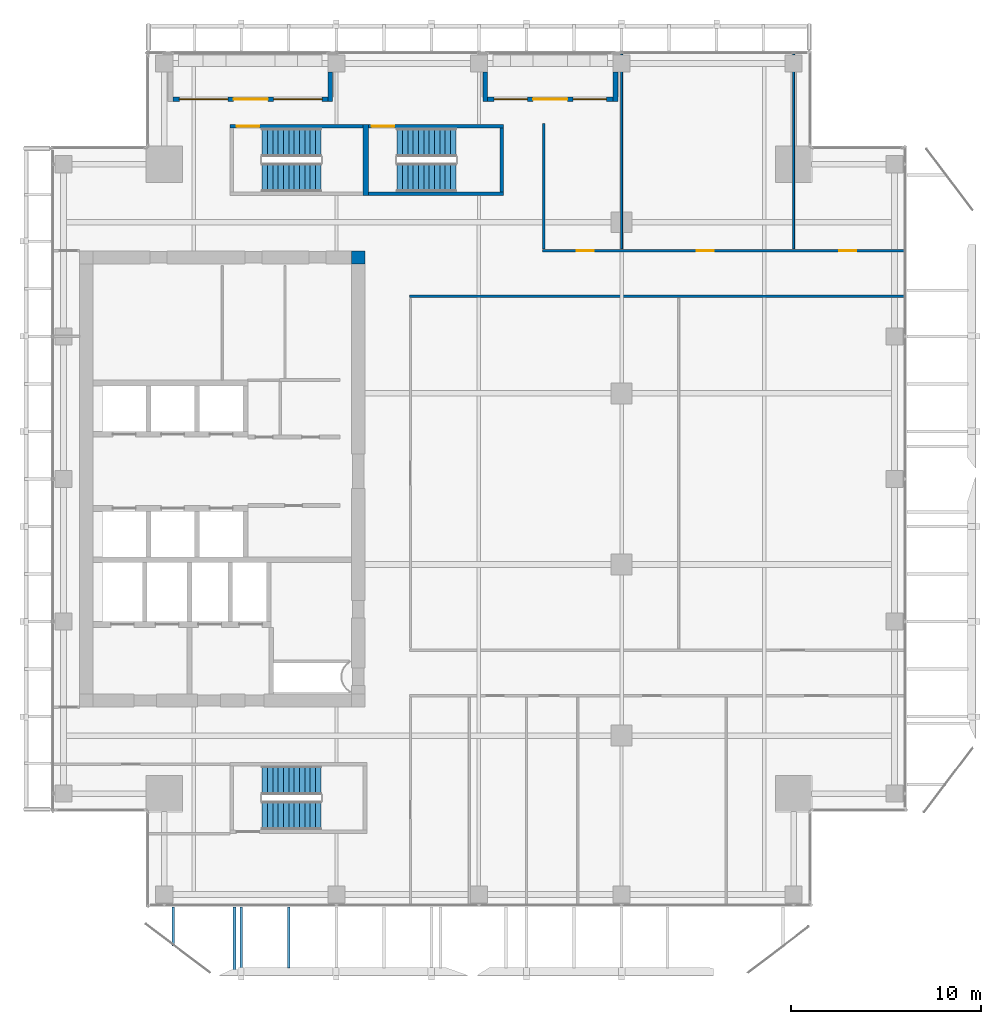
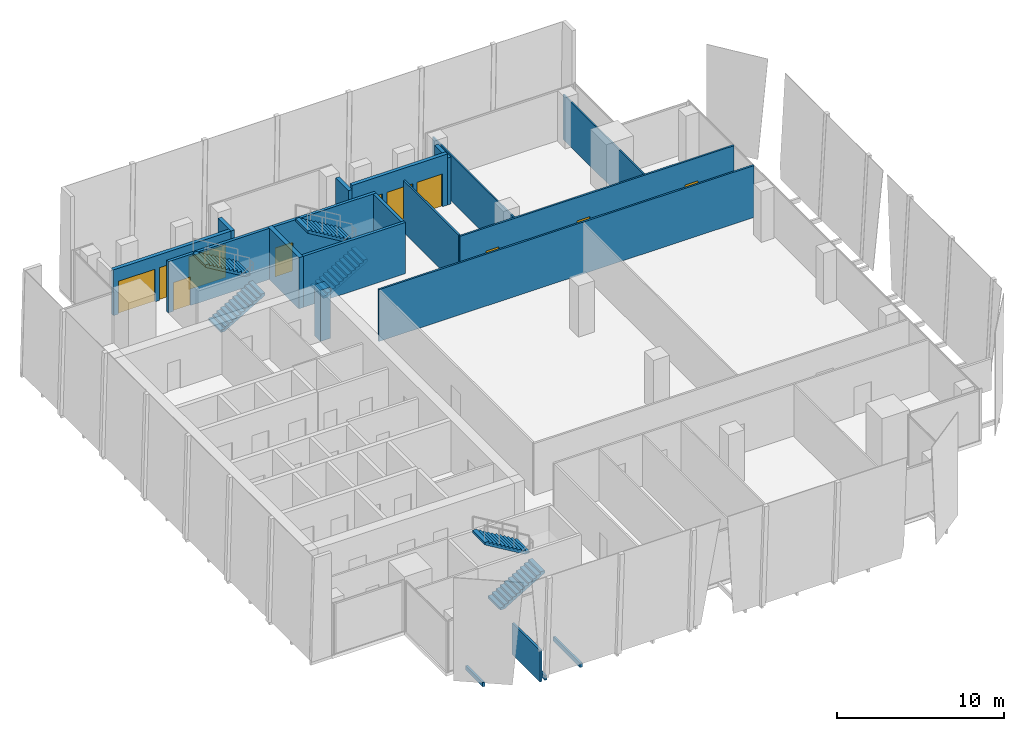
# One storey, part 30 of 35: 16 walls, 7 doors, 6 stair flights, 4 discrete accessories, 4 windows, 11 openings, 3 elements without a shape of their own.
"""IFC4 building model written with IfcOpenShell, lengths in metres."""

from ifc_helpers import new_model, si_unit, direction, frame, frame_2d, origin, origin_2d, place, context, subcontext, project, spatial, polyline, rectangle, outline, extrude, source, transform, mapped, material, layer, layer_set, type_object, element, fill, aggregate, save


model = new_model("IFC4")

# Units and contexts
model_context = context("Model", 3, precision=1e-05, world=origin(), true_north=direction((0.0, 1.0)))
body_context = subcontext(model_context, "Body", "Model", "MODEL_VIEW")
ifc_project = project(units=[si_unit("LENGTHUNIT", "METRE"), si_unit("AREAUNIT", "SQUARE_METRE"), si_unit("VOLUMEUNIT", "CUBIC_METRE"), si_unit("PLANEANGLEUNIT", "RADIAN"), si_unit("MASSUNIT", "GRAM", prefix="KILO")], contexts=[model_context])

# Site, building, storey
site_placement = place(None, origin())
site = spatial("IfcSite", under=ifc_project, at=site_placement, CompositionType="ELEMENT")
building_placement = place(site_placement, origin())
building = spatial("IfcBuilding", under=site, at=building_placement, Name="Khomas Fold Tower", CompositionType="ELEMENT")
storey_placement = place(building_placement, frame((0.0, 0.0, 266.199951171875)))
storey = spatial("IfcBuildingStorey", under=building, at=storey_placement, Name="L60", CompositionType="ELEMENT", Elevation=266.199951171875)

# Wall, opening, door
ifc_material_1 = material(Name="Concrete C50/60", Category="concrete")
ifc_layer_1 = layer(ifc_material_1, 0.199951171875)
ifc_layer_set_1 = layer_set([ifc_layer_1], Name="Concrete C50/60")
wall_type_1 = type_object("IfcWallType", Name="Stair wall 200", PredefinedType="SHEAR", material=ifc_layer_set_1)
shared_shape_1 = source(origin(), body_context, "Body", "SweptSolid", [
    extrude(rectangle(XDim=7.0, YDim=0.199951171875, at=frame_2d((3.5, 0.0))), origin(), (0.0, 0.0, 1.0), 3.75),
])
wall_1_placement = place(storey_placement, frame((13.89990234375, 45.550048828125, 0.0), z_axis=(0.0, 0.0, 1.0), x_axis=(1.0, 0.0, 0.0)))
wall_1 = element("IfcWall", 1, at=wall_1_placement, inside=storey, type_object=wall_type_1, Name="Stair wall SW-ST1-N", PredefinedType="SHEAR", context=body_context, shape_type="MappedRepresentation", body=[
    mapped(shared_shape_1, transform((0.0, 0.0, 0.0))),
])
shared_shape_2 = source(origin(), body_context, "Body", "SweptSolid", [
    extrude(rectangle(XDim=1.199951171875, YDim=2.10009765625, at=frame_2d((0.60009765625, 1.050048828125))), frame((0.0, 0.10986328125, 0.0), z_axis=(0.0, -1.0, 0.0), x_axis=(1.0, 0.0, 0.0)), (0.0, 0.0, 1.0), 0.219970703125),
])
opening_1_placement = place(wall_1_placement, frame((0.35009765625, 0.0, 0.0)))
opening_1 = element("IfcOpeningElement", 2, at=opening_1_placement, cuts=wall_1, Name="Opening SD-ST1", PredefinedType="OPENING", context=body_context, shape_type="MappedRepresentation", body=[
    mapped(shared_shape_2, transform((0.0, 0.0, 0.0))),
])
ifc_material_2 = material(Name="Steel door leaf", Category="steel")
door_type_1 = type_object("IfcDoorType", Name="Stair door 1200x2100 left-hand", OperationType="SINGLE_SWING_LEFT", PredefinedType="DOOR", material=ifc_material_2)
shared_shape_3 = source(origin(), body_context, "Body", "SweptSolid", [
    extrude(rectangle(XDim=1.199951171875, YDim=2.10009765625, at=frame_2d((0.60009765625, 1.050048828125))), frame((0.0, 0.02490234375, 0.0), z_axis=(0.0, -1.0, 0.0), x_axis=(1.0, 0.0, 0.0)), (0.0, 0.0, 1.0), 0.050048828125),
])
door_1_placement = place(opening_1_placement, origin())
door_1 = element("IfcDoor", 3, at=door_1_placement, inside=storey, type_object=door_type_1, Name="Stair door", OperationType="SINGLE_SWING_LEFT", OverallHeight=2.10009765625, OverallWidth=1.199951171875, PredefinedType="DOOR", context=body_context, shape_type="MappedRepresentation", body=[
    mapped(shared_shape_3, transform((0.0, 0.0, 0.0))),
])
fill(opening_1, door_1)

shared_shape_4 = source(origin(), body_context, "Body", "SweptSolid", [
    extrude(rectangle(XDim=7.10009765625, YDim=0.199951171875, at=frame_2d((3.550048828125, 0.0))), origin(), (0.0, 0.0, 1.0), 3.75),
])
wall_2_placement = place(storey_placement, frame((21.199951171875, 45.550048828125, 0.0), z_axis=(0.0, 0.0, 1.0), x_axis=(1.0, 0.0, 0.0)))
wall_2 = element("IfcWall", 4, at=wall_2_placement, inside=storey, type_object=wall_type_1, Name="Stair wall SW-ST3-N", PredefinedType="SHEAR", context=body_context, shape_type="MappedRepresentation", body=[
    mapped(shared_shape_4, transform((0.0, 0.0, 0.0))),
])
opening_2_placement = place(wall_2_placement, frame((0.14990234375, 0.0, 0.0)))
opening_2 = element("IfcOpeningElement", 5, at=opening_2_placement, cuts=wall_2, Name="Opening SD-ST3", PredefinedType="OPENING", context=body_context, shape_type="MappedRepresentation", body=[
    mapped(shared_shape_2, transform((0.0, 0.0, 0.0))),
])
door_2_placement = place(opening_2_placement, origin())
door_2 = element("IfcDoor", 6, at=door_2_placement, inside=storey, type_object=door_type_1, Name="Stair door", OperationType="SINGLE_SWING_LEFT", OverallHeight=2.10009765625, OverallWidth=1.199951171875, PredefinedType="DOOR", context=body_context, shape_type="MappedRepresentation", body=[
    mapped(shared_shape_3, transform((0.0, 0.0, 0.0))),
])
fill(opening_2, door_2)

# Walls
wall_3_placement = place(storey_placement, frame((21.199951171875, 42.0, 0.0), z_axis=(0.0, 0.0, 1.0), x_axis=(1.0, 0.0, 0.0)))
element("IfcWall", 7, at=wall_3_placement, inside=storey, type_object=wall_type_1, Name="Stair wall SW-ST3-S", PredefinedType="SHEAR", context=body_context, shape_type="MappedRepresentation", body=[
    mapped(shared_shape_4, transform((0.0, 0.0, 0.0))),
])
ifc_material_3 = material(Name="Concrete C50/60", Category="concrete")
ifc_layer_2 = layer(ifc_material_3, 0.300048828125)
ifc_layer_set_2 = layer_set([ifc_layer_2], Name="Concrete C50/60")
wall_type_2 = type_object("IfcWallType", Name="Stair wall 300", PredefinedType="SHEAR", material=ifc_layer_set_2)
shared_shape_5 = source(origin(), body_context, "Body", "SweptSolid", [
    extrude(rectangle(XDim=3.75, YDim=0.300048828125, at=frame_2d((1.875, 0.0))), origin(), (0.0, 0.0, 1.0), 3.75),
])
wall_4_placement = place(storey_placement, frame((21.050048828125, 41.89990234375, 0.0), z_axis=(0.0, 0.0, 1.0), x_axis=(0.0, 1.0, 0.0)))
element("IfcWall", 8, at=wall_4_placement, inside=storey, type_object=wall_type_2, Name="Stair wall SW-ST1-E", PredefinedType="SHEAR", context=body_context, shape_type="MappedRepresentation", body=[
    mapped(shared_shape_5, transform((0.0, 0.0, 0.0))),
])
shared_shape_6 = source(origin(), body_context, "Body", "SweptSolid", [
    extrude(rectangle(XDim=3.349853515625, YDim=0.199951171875, at=frame_2d((1.6748046875, 0.0))), origin(), (0.0, 0.0, 1.0), 3.75),
])
wall_5_placement = place(storey_placement, frame((28.199951171875, 42.10009765625, 0.0), z_axis=(0.0, 0.0, 1.0), x_axis=(0.0, 1.0, 0.0)))
element("IfcWall", 9, at=wall_5_placement, inside=storey, type_object=wall_type_1, Name="Stair wall SW-ST3-E", PredefinedType="SHEAR", context=body_context, shape_type="MappedRepresentation", body=[
    mapped(shared_shape_6, transform((0.0, 0.0, 0.0))),
])
ifc_material_4 = material(Name="Concrete C60/75", Category="concrete")
ifc_layer_3 = layer(ifc_material_4, 0.699951171875)
ifc_layer_set_3 = layer_set([ifc_layer_3], Name="Concrete C60/75")
wall_type_3 = type_object("IfcWallType", Name="Core corner wall 700", PredefinedType="SHEAR", material=ifc_layer_set_3)
shared_shape_7 = source(origin(), body_context, "Body", "SweptSolid", [
    extrude(rectangle(XDim=0.699951171875, YDim=0.699951171875, at=frame_2d((0.35009765625, 0.0))), origin(), (0.0, 0.0, 1.0), 3.75),
])
wall_6_placement = place(storey_placement, frame((20.300048828125, 38.64990234375, 0.0), z_axis=(0.0, 0.0, 1.0), x_axis=(1.0, 0.0, 0.0)))
element("IfcWall", 10, at=wall_6_placement, inside=storey, type_object=wall_type_3, Name="Core wall CW-U-NE-L49", PredefinedType="SHEAR", context=body_context, shape_type="MappedRepresentation", body=[
    mapped(shared_shape_7, transform((0.0, 0.0, 0.0))),
])

# Wall, openings, door, windows
ifc_material_5 = material(Name="Natural stone", Category="masonry")
ifc_layer_4 = layer(ifc_material_5, 0.0400390625)
ifc_material_6 = material(Name="Mineral wool insulation", Category="insulation")
ifc_layer_5 = layer(ifc_material_6, 0.10009765625)
ifc_material_7 = material(Name="Masonry", Category="masonry")
ifc_layer_6 = layer(ifc_material_7, 0.110107421875)
ifc_layer_set_4 = layer_set([ifc_layer_4, ifc_layer_5, ifc_layer_6], Name="Stone-faced insulated masonry")
wall_type_4 = type_object("IfcWallType", Name="BL-Balcony wall", PredefinedType="SOLIDWALL", material=ifc_layer_set_4)
shared_shape_8 = source(origin(), body_context, "Body", "SweptSolid", [
    extrude(rectangle(XDim=8.150146484375, YDim=0.25, at=frame_2d((4.0751953125, 0.0))), origin(), (0.0, 0.0, 1.0), 3.35009765625),
])
wall_7_placement = place(storey_placement, frame((10.89990234375, 46.97509765625, 0.0), z_axis=(0.0, 0.0, 1.0), x_axis=(1.0, 0.0, 0.0)))
wall_7 = element("IfcWall", 11, at=wall_7_placement, inside=storey, type_object=wall_type_4, Name="Balcony wall BAL-L60-N1", PredefinedType="SOLIDWALL", context=body_context, shape_type="MappedRepresentation", body=[
    mapped(shared_shape_8, transform((0.0, 0.0, 0.0))),
])
shared_shape_9 = source(origin(), body_context, "Body", "SweptSolid", [
    extrude(rectangle(XDim=2.550048828125, YDim=2.39990234375, at=frame_2d((1.27490234375, 1.199951171875))), frame((0.0, 0.135009765625, 0.0), z_axis=(0.0, -1.0, 0.0), x_axis=(1.0, 0.0, 0.0)), (0.0, 0.0, 1.0), 0.27001953125),
])
opening_3_placement = place(wall_7_placement, frame((0.35009765625, 0.0, 0.0)))
opening_3 = element("IfcOpeningElement", 12, at=opening_3_placement, cuts=wall_7, Name="Opening BL-W4", PredefinedType="OPENING", context=body_context, shape_type="MappedRepresentation", body=[
    mapped(shared_shape_9, transform((0.0, 0.0, 0.0))),
])
opening_4_placement = place(wall_7_placement, frame((5.300048828125, 0.0, 0.0)))
opening_4 = element("IfcOpeningElement", 13, at=opening_4_placement, cuts=wall_7, Name="Opening BL-W4", PredefinedType="OPENING", context=body_context, shape_type="MappedRepresentation", body=[
    mapped(shared_shape_9, transform((0.0, 0.0, 0.0))),
])
shared_shape_10 = source(origin(), body_context, "Body", "SweptSolid", [
    extrude(rectangle(XDim=1.800048828125, YDim=2.39990234375, at=frame_2d((0.89990234375, 1.199951171875))), frame((0.0, 0.135009765625, 0.0), z_axis=(0.0, -1.0, 0.0), x_axis=(1.0, 0.0, 0.0)), (0.0, 0.0, 1.0), 0.27001953125),
])
opening_5_placement = place(wall_7_placement, frame((3.199951171875, 0.0, 0.0)))
opening_5 = element("IfcOpeningElement", 14, at=opening_5_placement, cuts=wall_7, Name="Opening BD601", PredefinedType="OPENING", context=body_context, shape_type="MappedRepresentation", body=[
    mapped(shared_shape_10, transform((0.0, 0.0, 0.0))),
])
ifc_material_8 = material(Name="Aluminium framed double glazing", Category="aluminium")
door_type_2 = type_object("IfcDoorType", Name="BL-Glazed balcony door 1800 x 2400", OperationType="DOUBLE_DOOR_DOUBLE_SWING", PredefinedType="DOOR", material=ifc_material_8)
shared_shape_11 = source(origin(), body_context, "Body", "SweptSolid", [
    extrude(rectangle(XDim=1.800048828125, YDim=2.39990234375, at=frame_2d((0.89990234375, 1.199951171875))), frame((0.0, 0.02490234375, 0.0), z_axis=(0.0, -1.0, 0.0), x_axis=(1.0, 0.0, 0.0)), (0.0, 0.0, 1.0), 0.050048828125),
])
door_3_placement = place(opening_5_placement, origin())
door_3 = element("IfcDoor", 15, at=door_3_placement, inside=storey, type_object=door_type_2, Name="Balcony door BD601", OperationType="DOUBLE_DOOR_DOUBLE_SWING", OverallHeight=2.39990234375, OverallWidth=1.800048828125, PredefinedType="DOOR", context=body_context, shape_type="MappedRepresentation", body=[
    mapped(shared_shape_11, transform((0.0, 0.0, 0.0))),
])
fill(opening_5, door_3)
ifc_material_9 = material(Name="Aluminium framed double glazing", Category="aluminium")
window_type_1 = type_object("IfcWindowType", Name="BL-Fixed glazing 2550 x 2400", PartitioningType="SINGLE_PANEL", PredefinedType="WINDOW", material=ifc_material_9)
shared_shape_12 = source(origin(), body_context, "Body", "SweptSolid", [
    extrude(rectangle(XDim=2.550048828125, YDim=2.39990234375, at=frame_2d((1.27490234375, 1.199951171875))), frame((0.0, 0.030029296875, 0.0), z_axis=(0.0, -1.0, 0.0), x_axis=(1.0, 0.0, 0.0)), (0.0, 0.0, 1.0), 0.06005859375),
])
window_1_placement = place(opening_3_placement, origin())
window_1 = element("IfcWindow", 16, at=window_1_placement, inside=storey, type_object=window_type_1, Name="Balcony glazing BAL-L60-N1-1", OverallHeight=2.39990234375, OverallWidth=2.550048828125, PartitioningType="SINGLE_PANEL", PredefinedType="WINDOW", context=body_context, shape_type="MappedRepresentation", body=[
    mapped(shared_shape_12, transform((0.0, 0.0, 0.0))),
])
fill(opening_3, window_1)
window_2_placement = place(opening_4_placement, origin())
window_2 = element("IfcWindow", 17, at=window_2_placement, inside=storey, type_object=window_type_1, Name="Balcony glazing BAL-L60-N1-2", OverallHeight=2.39990234375, OverallWidth=2.550048828125, PartitioningType="SINGLE_PANEL", PredefinedType="WINDOW", context=body_context, shape_type="MappedRepresentation", body=[
    mapped(shared_shape_12, transform((0.0, 0.0, 0.0))),
])
fill(opening_4, window_2)

# Wall
shared_shape_13 = source(origin(), body_context, "Body", "SweptSolid", [
    extrude(rectangle(XDim=1.5498046875, YDim=0.25, at=frame_2d((0.77490234375, 0.0))), origin(), (0.0, 0.0, 1.0), 3.35009765625),
])
wall_8_placement = place(storey_placement, frame((19.175048828125, 48.39990234375, 0.0), z_axis=(0.0, 0.0, 1.0), x_axis=(0.0, -1.0, 0.0)))
element("IfcWall", 18, at=wall_8_placement, inside=storey, type_object=wall_type_4, Name="Balcony return wall BAL-L60-N1-hi", PredefinedType="SOLIDWALL", context=body_context, shape_type="MappedRepresentation", body=[
    mapped(shared_shape_13, transform((0.0, 0.0, 0.0))),
])

# Wall, openings, door, windows
shared_shape_14 = source(origin(), body_context, "Body", "SweptSolid", [
    extrude(rectangle(XDim=6.60009765625, YDim=0.25, at=frame_2d((3.300048828125, 0.0))), origin(), (0.0, 0.0, 1.0), 3.75),
])
wall_9_placement = place(storey_placement, frame((27.449951171875, 46.97509765625, 0.0), z_axis=(0.0, 0.0, 1.0), x_axis=(1.0, 0.0, 0.0)))
wall_9 = element("IfcWall", 19, at=wall_9_placement, inside=storey, type_object=wall_type_4, Name="Balcony wall BAL-L60-N3", PredefinedType="SOLIDWALL", context=body_context, shape_type="MappedRepresentation", body=[
    mapped(shared_shape_14, transform((0.0, 0.0, 0.0))),
])
shared_shape_15 = source(origin(), body_context, "Body", "SweptSolid", [
    extrude(rectangle(XDim=1.75, YDim=2.39990234375, at=frame_2d((0.875, 1.199951171875))), frame((0.0, 0.135009765625, 0.0), z_axis=(0.0, -1.0, 0.0), x_axis=(1.0, 0.0, 0.0)), (0.0, 0.0, 1.0), 0.27001953125),
])
opening_6_placement = place(wall_9_placement, frame((0.35009765625, 0.0, 0.0)))
opening_6 = element("IfcOpeningElement", 20, at=opening_6_placement, cuts=wall_9, Name="Opening BL-W3", PredefinedType="OPENING", context=body_context, shape_type="MappedRepresentation", body=[
    mapped(shared_shape_15, transform((0.0, 0.0, 0.0))),
])
opening_7_placement = place(wall_9_placement, frame((4.5, 0.0, 0.0)))
opening_7 = element("IfcOpeningElement", 21, at=opening_7_placement, cuts=wall_9, Name="Opening BL-W3", PredefinedType="OPENING", context=body_context, shape_type="MappedRepresentation", body=[
    mapped(shared_shape_15, transform((0.0, 0.0, 0.0))),
])
opening_8_placement = place(wall_9_placement, frame((2.39990234375, 0.0, 0.0)))
opening_8 = element("IfcOpeningElement", 22, at=opening_8_placement, cuts=wall_9, Name="Opening BD602", PredefinedType="OPENING", context=body_context, shape_type="MappedRepresentation", body=[
    mapped(shared_shape_10, transform((0.0, 0.0, 0.0))),
])
door_4_placement = place(opening_8_placement, origin())
door_4 = element("IfcDoor", 23, at=door_4_placement, inside=storey, type_object=door_type_2, Name="Balcony door BD602", OperationType="DOUBLE_DOOR_DOUBLE_SWING", OverallHeight=2.39990234375, OverallWidth=1.800048828125, PredefinedType="DOOR", context=body_context, shape_type="MappedRepresentation", body=[
    mapped(shared_shape_11, transform((0.0, 0.0, 0.0))),
])
fill(opening_8, door_4)
ifc_material_10 = material(Name="Aluminium framed double glazing", Category="aluminium")
window_type_2 = type_object("IfcWindowType", Name="BL-Fixed glazing 1750 x 2400", PartitioningType="SINGLE_PANEL", PredefinedType="WINDOW", material=ifc_material_10)
shared_shape_16 = source(origin(), body_context, "Body", "SweptSolid", [
    extrude(rectangle(XDim=1.75, YDim=2.39990234375, at=frame_2d((0.875, 1.199951171875))), frame((0.0, 0.030029296875, 0.0), z_axis=(0.0, -1.0, 0.0), x_axis=(1.0, 0.0, 0.0)), (0.0, 0.0, 1.0), 0.06005859375),
])
window_3_placement = place(opening_6_placement, origin())
window_3 = element("IfcWindow", 24, at=window_3_placement, inside=storey, type_object=window_type_2, Name="Balcony glazing BAL-L60-N3-1", OverallHeight=2.39990234375, OverallWidth=1.75, PartitioningType="SINGLE_PANEL", PredefinedType="WINDOW", context=body_context, shape_type="MappedRepresentation", body=[
    mapped(shared_shape_16, transform((0.0, 0.0, 0.0))),
])
fill(opening_6, window_3)
window_4_placement = place(opening_7_placement, origin())
window_4 = element("IfcWindow", 25, at=window_4_placement, inside=storey, type_object=window_type_2, Name="Balcony glazing BAL-L60-N3-2", OverallHeight=2.39990234375, OverallWidth=1.75, PartitioningType="SINGLE_PANEL", PredefinedType="WINDOW", context=body_context, shape_type="MappedRepresentation", body=[
    mapped(shared_shape_16, transform((0.0, 0.0, 0.0))),
])
fill(opening_7, window_4)

# Walls
shared_shape_17 = source(origin(), body_context, "Body", "SweptSolid", [
    extrude(rectangle(XDim=1.5498046875, YDim=0.25, at=frame_2d((0.77490234375, 0.0))), origin(), (0.0, 0.0, 1.0), 3.449951171875),
])
for number, where, z_axis, x_axis, name in (
    (26, (27.324951171875, 48.39990234375, 0.0), (0.0, 0.0, 1.0), (0.0, -1.0, 0.0), "Balcony return wall BAL-L60-N3-lo"),
    (27, (34.175048828125, 48.39990234375, 0.0), (0.0, 0.0, 1.0), (0.0, -1.0, 0.0), "Balcony return wall BAL-L60-N3-hi"),
):
    element("IfcWall", number, at=place(storey_placement, frame(where, z_axis=z_axis, x_axis=x_axis)), inside=storey, type_object=wall_type_4, Name=name, PredefinedType="SOLIDWALL", context=body_context, shape_type="MappedRepresentation", body=[
        mapped(shared_shape_17, transform((0.0, 0.0, 0.0))),
    ])
ifc_material_11 = material(Name="Plasterboard partition")
ifc_layer_7 = layer(ifc_material_11, 0.125)
ifc_layer_set_5 = layer_set([ifc_layer_7], Name="Plasterboard partition")
wall_type_5 = type_object("IfcWallType", Name="Partition PW2 125", PredefinedType="PARTITIONING", material=ifc_layer_set_5)
shared_shape_18 = source(origin(), body_context, "Body", "SweptSolid", [
    extrude(rectangle(XDim=26.0, YDim=0.125, at=frame_2d((13.0, 0.0))), origin(), (0.0, 0.0, 1.0), 3.800048828125),
])
wall_10_placement = place(storey_placement, frame((23.35009765625, 36.60009765625, 0.0), z_axis=(0.0, 0.0, 1.0), x_axis=(1.0, 0.0, 0.0)))
element("IfcWall", 28, at=wall_10_placement, inside=storey, type_object=wall_type_5, Name="Partition", PredefinedType="PARTITIONING", context=body_context, shape_type="MappedRepresentation", body=[
    mapped(shared_shape_18, transform((0.0, 0.0, 0.0))),
])

# Wall, openings, doors
shared_shape_19 = source(origin(), body_context, "Body", "SweptSolid", [
    extrude(rectangle(XDim=19.0, YDim=0.125, at=frame_2d((9.5, 0.0))), origin(), (0.0, 0.0, 1.0), 3.800048828125),
])
wall_11_placement = place(storey_placement, frame((30.35009765625, 39.0, 0.0), z_axis=(0.0, 0.0, 1.0), x_axis=(1.0, 0.0, 0.0)))
wall_11 = element("IfcWall", 29, at=wall_11_placement, inside=storey, type_object=wall_type_5, Name="Partition", PredefinedType="PARTITIONING", context=body_context, shape_type="MappedRepresentation", body=[
    mapped(shared_shape_19, transform((0.0, 0.0, 0.0))),
])
shared_shape_20 = source(origin(), body_context, "Body", "SweptSolid", [
    extrude(rectangle(XDim=0.89990234375, YDim=2.10009765625, at=frame_2d((0.449951171875, 1.050048828125))), frame((0.0, 0.072509765625, 0.0), z_axis=(0.0, -1.0, 0.0), x_axis=(1.0, 0.0, 0.0)), (0.0, 0.0, 1.0), 0.14501953125),
])
opening_9_placement = place(wall_11_placement, frame((1.800048828125, 0.0, 0.0)))
opening_9 = element("IfcOpeningElement", 30, at=opening_9_placement, cuts=wall_11, Name="Opening 0007", PredefinedType="OPENING", context=body_context, shape_type="MappedRepresentation", body=[
    mapped(shared_shape_20, transform((0.0, 0.0, 0.0))),
])
opening_10_placement = place(wall_11_placement, frame((8.10009765625, 0.0, 0.0)))
opening_10 = element("IfcOpeningElement", 31, at=opening_10_placement, cuts=wall_11, Name="Opening 0008", PredefinedType="OPENING", context=body_context, shape_type="MappedRepresentation", body=[
    mapped(shared_shape_20, transform((0.0, 0.0, 0.0))),
])
opening_11_placement = place(wall_11_placement, frame((15.60009765625, 0.0, 0.0)))
opening_11 = element("IfcOpeningElement", 32, at=opening_11_placement, cuts=wall_11, Name="Opening 0008", PredefinedType="OPENING", context=body_context, shape_type="MappedRepresentation", body=[
    mapped(shared_shape_20, transform((0.0, 0.0, 0.0))),
])
ifc_material_12 = material(Name="Timber door leaf", Category="wood")
door_type_3 = type_object("IfcDoorType", Name="Door 900x2100 left-hand", OperationType="SINGLE_SWING_LEFT", PredefinedType="DOOR", material=ifc_material_12)
shared_shape_21 = source(origin(), body_context, "Body", "SweptSolid", [
    extrude(rectangle(XDim=0.89990234375, YDim=2.10009765625, at=frame_2d((0.449951171875, 1.050048828125))), frame((0.0, 0.02490234375, 0.0), z_axis=(0.0, -1.0, 0.0), x_axis=(1.0, 0.0, 0.0)), (0.0, 0.0, 1.0), 0.050048828125),
])
door_5_placement = place(opening_9_placement, origin())
door_5 = element("IfcDoor", 33, at=door_5_placement, inside=storey, type_object=door_type_3, Name="Door", OperationType="SINGLE_SWING_LEFT", OverallHeight=2.10009765625, OverallWidth=0.89990234375, PredefinedType="DOOR", context=body_context, shape_type="MappedRepresentation", body=[
    mapped(shared_shape_21, transform((0.0, 0.0, 0.0))),
])
fill(opening_9, door_5)
ifc_material_13 = material(Name="Timber door leaf", Category="wood")
door_type_4 = type_object("IfcDoorType", Name="Door 900x2100 right-hand", OperationType="SINGLE_SWING_RIGHT", PredefinedType="DOOR", material=ifc_material_13)
door_6_placement = place(opening_10_placement, origin())
door_6 = element("IfcDoor", 34, at=door_6_placement, inside=storey, type_object=door_type_4, Name="Door", OperationType="SINGLE_SWING_RIGHT", OverallHeight=2.10009765625, OverallWidth=0.89990234375, PredefinedType="DOOR", context=body_context, shape_type="MappedRepresentation", body=[
    mapped(shared_shape_21, transform((0.0, 0.0, 0.0))),
])
fill(opening_10, door_6)
door_7_placement = place(opening_11_placement, origin())
door_7 = element("IfcDoor", 35, at=door_7_placement, inside=storey, type_object=door_type_4, Name="Door", OperationType="SINGLE_SWING_RIGHT", OverallHeight=2.10009765625, OverallWidth=0.89990234375, PredefinedType="DOOR", context=body_context, shape_type="MappedRepresentation", body=[
    mapped(shared_shape_21, transform((0.0, 0.0, 0.0))),
])
fill(opening_11, door_7)

# Walls
ifc_material_14 = material(Name="Plasterboard partition")
ifc_layer_8 = layer(ifc_material_14, 0.10009765625)
ifc_layer_set_6 = layer_set([ifc_layer_8], Name="Plasterboard partition")
wall_type_6 = type_object("IfcWallType", Name="Partition PW1 100", PredefinedType="PARTITIONING", material=ifc_layer_set_6)
shared_shape_22 = source(origin(), body_context, "Body", "SweptSolid", [
    extrude(rectangle(XDim=10.25, YDim=0.10009765625, at=frame_2d((5.125, 0.0))), origin(), (0.0, 0.0, 1.0), 3.35009765625),
])
wall_12_placement = place(storey_placement, frame((34.5, 39.10009765625, 0.0), z_axis=(0.0, 0.0, 1.0), x_axis=(0.0, 1.0, 0.0)))
element("IfcWall", 36, at=wall_12_placement, inside=storey, type_object=wall_type_6, Name="Partition", PredefinedType="PARTITIONING", context=body_context, shape_type="MappedRepresentation", body=[
    mapped(shared_shape_22, transform((0.0, 0.0, 0.0))),
])
shared_shape_23 = source(origin(), body_context, "Body", "SweptSolid", [
    extrude(rectangle(XDim=6.599853515625, YDim=0.125, at=frame_2d((3.2998046875, 0.0))), origin(), (0.0, 0.0, 1.0), 3.800048828125),
])
wall_13_placement = place(storey_placement, frame((30.39990234375, 39.10009765625, 0.0), z_axis=(0.0, 0.0, 1.0), x_axis=(0.0, 1.0, 0.0)))
element("IfcWall", 37, at=wall_13_placement, inside=storey, type_object=wall_type_5, Name="Partition", PredefinedType="PARTITIONING", context=body_context, shape_type="MappedRepresentation", body=[
    mapped(shared_shape_23, transform((0.0, 0.0, 0.0))),
])
shared_shape_24 = source(origin(), body_context, "Body", "SweptSolid", [
    extrude(rectangle(XDim=10.25, YDim=0.10009765625, at=frame_2d((5.125, 0.0))), origin(), (0.0, 0.0, 1.0), 3.300048828125),
])
wall_14_placement = place(storey_placement, frame((43.550048828125, 39.10009765625, 0.0), z_axis=(0.0, 0.0, 1.0), x_axis=(0.0, 1.0, 0.0)))
element("IfcWall", 38, at=wall_14_placement, inside=storey, type_object=wall_type_6, Name="Partition", PredefinedType="PARTITIONING", context=body_context, shape_type="MappedRepresentation", body=[
    mapped(shared_shape_24, transform((0.0, 0.0, 0.0))),
])

# Stair, stair flights
ifc_material_15 = material(Name="Concrete C40/50", Category="concrete")
stair_type_1 = type_object("IfcStairType", Name="Stair ST1", PredefinedType="HALF_TURN_STAIR", material=ifc_material_15)
stair_1_placement = place(storey_placement, origin())
stair_1 = element("IfcStair", 39, at=stair_1_placement, inside=storey, type_object=stair_type_1, Name="L60 ST1", PredefinedType="HALF_TURN_STAIR")
ifc_material_16 = material(Name="Concrete C40/50", Category="concrete")
stair_flight_type_1 = type_object("IfcStairFlightType", Name="Stair flight 1500 ST1", PredefinedType="STRAIGHT", material=ifc_material_16)
shared_shape_25 = source(origin(), body_context, "Body", "SweptSolid", [
    extrude(outline(polyline([(0.0, 0.0), (0.0, 0.012939453125), (0.0, 0.025634765625), (0.0, 0.03857421875), (0.0, 0.05126953125), (0.0, 0.064208984375), (0.0, 0.076904296875), (0.0, 0.08984375), (0.0, 0.1025390625), (0.0, 0.115478515625), (0.0, 0.128173828125), (0.0, 0.14111328125), (0.0, 0.15380859375), (0.0, 0.166748046875), (0.280029296875, 0.166748046875), (0.280029296875, 0.333251953125), (0.56005859375, 0.333251953125), (0.56005859375, 0.5), (0.840087890625, 0.5), (0.840087890625, 0.666748046875), (1.1201171875, 0.666748046875), (1.1201171875, 0.833251953125), (1.39990234375, 0.833251953125), (1.39990234375, 1.0), (1.679931640625, 1.0), (1.679931640625, 1.166748046875), (1.9599609375, 1.166748046875), (1.9599609375, 1.333251953125), (2.239990234375, 1.333251953125), (2.239990234375, 1.5), (2.52001953125, 1.5), (2.52001953125, 1.666748046875), (2.800048828125, 1.666748046875), (2.800048828125, 1.833251953125), (3.080078125, 1.833251953125), (3.080078125, 2.0), (3.080078125, 1.973876953125), (3.080078125, 1.947509765625), (3.080078125, 1.92138671875), (3.080078125, 1.89501953125), (3.080078125, 1.868896484375), (3.080078125, 1.842529296875), (3.080078125, 1.81640625), (3.080078125, 1.7900390625), (3.080078125, 1.763916015625), (3.080078125, 1.737548828125), (3.080078125, 1.71142578125), (3.080078125, 1.68505859375), (3.080078125, 1.658935546875), (0.29296875, 0.0), (0.0, 0.0)])), frame((0.0, 0.75, 0.0), z_axis=(0.0, -1.0, 0.0), x_axis=(1.0, 0.0, 0.0)), (0.0, 0.0, 1.0), 1.5),
])
stair_flight_1_placement = place(storey_placement, frame((15.60009765625, 42.85009765625, 0.0), z_axis=(0.0, 0.0, 1.0), x_axis=(1.0, 0.0, 0.0)))
stair_flight_1 = element("IfcStairFlight", 40, at=stair_flight_1_placement, type_object=stair_flight_type_1, Name="ST1 flight 1", NumberOfRisers=12, NumberOfTreads=11, PredefinedType="STRAIGHT", RiserHeight=0.166666667, TreadLength=0.28, context=body_context, shape_type="MappedRepresentation", body=[
    mapped(shared_shape_25, transform((0.0, 0.0, 0.0))),
])
stair_flight_2_placement = place(storey_placement, frame((18.679931640625, 44.699951171875, 2.0), z_axis=(0.0, 0.0, 1.0), x_axis=(-1.0, 0.0, 0.0)))
stair_flight_2 = element("IfcStairFlight", 41, at=stair_flight_2_placement, type_object=stair_flight_type_1, Name="ST1 flight 2", NumberOfRisers=12, NumberOfTreads=11, PredefinedType="STRAIGHT", RiserHeight=0.166666667, TreadLength=0.28, context=body_context, shape_type="MappedRepresentation", body=[
    mapped(shared_shape_25, transform((0.0, 0.0, 0.0))),
])
aggregate(stair_1, [stair_flight_1, stair_flight_2])

ifc_material_17 = material(Name="Concrete C40/50", Category="concrete")
stair_type_2 = type_object("IfcStairType", Name="Stair ST2", PredefinedType="HALF_TURN_STAIR", material=ifc_material_17)
stair_2_placement = place(storey_placement, origin())
stair_2 = element("IfcStair", 42, at=stair_2_placement, inside=storey, type_object=stair_type_2, Name="L60 ST2", PredefinedType="HALF_TURN_STAIR")
ifc_material_18 = material(Name="Concrete C40/50", Category="concrete")
stair_flight_type_2 = type_object("IfcStairFlightType", Name="Stair flight 1500 ST2", PredefinedType="STRAIGHT", material=ifc_material_18)
stair_flight_3_placement = place(storey_placement, frame((15.60009765625, 9.300048828125, 0.0), z_axis=(0.0, 0.0, 1.0), x_axis=(1.0, 0.0, 0.0)))
stair_flight_3 = element("IfcStairFlight", 43, at=stair_flight_3_placement, type_object=stair_flight_type_2, Name="ST2 flight 1", NumberOfRisers=12, NumberOfTreads=11, PredefinedType="STRAIGHT", RiserHeight=0.166666667, TreadLength=0.28, context=body_context, shape_type="MappedRepresentation", body=[
    mapped(shared_shape_25, transform((0.0, 0.0, 0.0))),
])
stair_flight_4_placement = place(storey_placement, frame((18.679931640625, 11.14990234375, 2.0), z_axis=(0.0, 0.0, 1.0), x_axis=(-1.0, 0.0, 0.0)))
stair_flight_4 = element("IfcStairFlight", 44, at=stair_flight_4_placement, type_object=stair_flight_type_2, Name="ST2 flight 2", NumberOfRisers=12, NumberOfTreads=11, PredefinedType="STRAIGHT", RiserHeight=0.166666667, TreadLength=0.28, context=body_context, shape_type="MappedRepresentation", body=[
    mapped(shared_shape_25, transform((0.0, 0.0, 0.0))),
])
aggregate(stair_2, [stair_flight_3, stair_flight_4])

ifc_material_19 = material(Name="Concrete C40/50", Category="concrete")
stair_type_3 = type_object("IfcStairType", Name="Stair ST3", PredefinedType="HALF_TURN_STAIR", material=ifc_material_19)
stair_3_placement = place(storey_placement, origin())
stair_3 = element("IfcStair", 45, at=stair_3_placement, inside=storey, type_object=stair_type_3, Name="L60 ST3", PredefinedType="HALF_TURN_STAIR")
ifc_material_20 = material(Name="Concrete C40/50", Category="concrete")
stair_flight_type_3 = type_object("IfcStairFlightType", Name="Stair flight 1500 ST3", PredefinedType="STRAIGHT", material=ifc_material_20)
stair_flight_5_placement = place(storey_placement, frame((22.699951171875, 42.85009765625, 0.0), z_axis=(0.0, 0.0, 1.0), x_axis=(1.0, 0.0, 0.0)))
stair_flight_5 = element("IfcStairFlight", 46, at=stair_flight_5_placement, type_object=stair_flight_type_3, Name="ST3 flight 1", NumberOfRisers=12, NumberOfTreads=11, PredefinedType="STRAIGHT", RiserHeight=0.166666667, TreadLength=0.28, context=body_context, shape_type="MappedRepresentation", body=[
    mapped(shared_shape_25, transform((0.0, 0.0, 0.0))),
])
stair_flight_6_placement = place(storey_placement, frame((25.780029296875, 44.699951171875, 2.0), z_axis=(0.0, 0.0, 1.0), x_axis=(-1.0, 0.0, 0.0)))
stair_flight_6 = element("IfcStairFlight", 47, at=stair_flight_6_placement, type_object=stair_flight_type_3, Name="ST3 flight 2", NumberOfRisers=12, NumberOfTreads=11, PredefinedType="STRAIGHT", RiserHeight=0.166666667, TreadLength=0.28, context=body_context, shape_type="MappedRepresentation", body=[
    mapped(shared_shape_25, transform((0.0, 0.0, 0.0))),
])
aggregate(stair_3, [stair_flight_5, stair_flight_6])

# Discrete accessories
ifc_material_21 = material(Name="Stainless steel", Category="steel")
discrete_accessory_type = type_object("IfcDiscreteAccessoryType", Name="SK-Stainless steel stone bracket", PredefinedType="BRACKET", material=ifc_material_21)
shared_shape_26 = source(origin(), body_context, "Body", "SweptSolid", [
    extrude(rectangle(XDim=2.060791015625, YDim=0.14990234375, at=origin_2d()), origin(), (0.0, 0.0, 1.0), 0.31005859375),
])
discrete_accessory_1_placement = place(storey_placement, frame((10.92529296875, 3.4697265625, -0.25), z_axis=(0.0, 0.0, 1.0), x_axis=(0.0, -1.0, 0.0)))
element("IfcDiscreteAccessory", 48, at=discrete_accessory_1_placement, inside=storey, type_object=discrete_accessory_type, Name="Stone bracket L60 SG098-1-1", PredefinedType="BRACKET", context=body_context, shape_type="MappedRepresentation", body=[
    mapped(shared_shape_26, transform((0.0, 0.0, 0.0))),
])
shared_shape_27 = source(origin(), body_context, "Body", "SweptSolid", [
    extrude(rectangle(XDim=3.33740234375, YDim=0.14990234375, at=origin_2d()), origin(), (0.0, 0.0, 1.0), 2.31005859375),
])
discrete_accessory_2_placement = place(storey_placement, frame((14.149169921875, 2.831298828125, -0.25), z_axis=(0.0, 0.0, 1.0), x_axis=(0.0, -1.0, 0.0)))
element("IfcDiscreteAccessory", 49, at=discrete_accessory_2_placement, inside=storey, type_object=discrete_accessory_type, Name="Stone bracket L60 SG098-2-1", PredefinedType="BRACKET", context=body_context, shape_type="MappedRepresentation", body=[
    mapped(shared_shape_27, transform((0.0, 0.0, 0.0))),
])
shared_shape_28 = source(origin(), body_context, "Body", "SweptSolid", [
    extrude(rectangle(XDim=3.32763671875, YDim=0.14990234375, at=origin_2d()), origin(), (0.0, 0.0, 1.0), 0.31005859375),
])
discrete_accessory_3_placement = place(storey_placement, frame((14.5, 2.836181640625, -0.25), z_axis=(0.0, 0.0, 1.0), x_axis=(0.0, -1.0, 0.0)))
element("IfcDiscreteAccessory", 50, at=discrete_accessory_3_placement, inside=storey, type_object=discrete_accessory_type, Name="Stone bracket L60 SM099-3-1", PredefinedType="BRACKET", context=body_context, shape_type="MappedRepresentation", body=[
    mapped(shared_shape_28, transform((0.0, 0.0, 0.0))),
])
shared_shape_29 = source(origin(), body_context, "Body", "SweptSolid", [
    extrude(rectangle(XDim=3.232421875, YDim=0.14990234375, at=origin_2d()), origin(), (0.0, 0.0, 1.0), 0.31005859375),
])
discrete_accessory_4_placement = place(storey_placement, frame((17.0, 2.8837890625, -0.25), z_axis=(0.0, 0.0, 1.0), x_axis=(0.0, -1.0, 0.0)))
element("IfcDiscreteAccessory", 51, at=discrete_accessory_4_placement, inside=storey, type_object=discrete_accessory_type, Name="Stone bracket L60 SG099-4-1", PredefinedType="BRACKET", context=body_context, shape_type="MappedRepresentation", body=[
    mapped(shared_shape_29, transform((0.0, 0.0, 0.0))),
])

save(model, "model.ifc")
